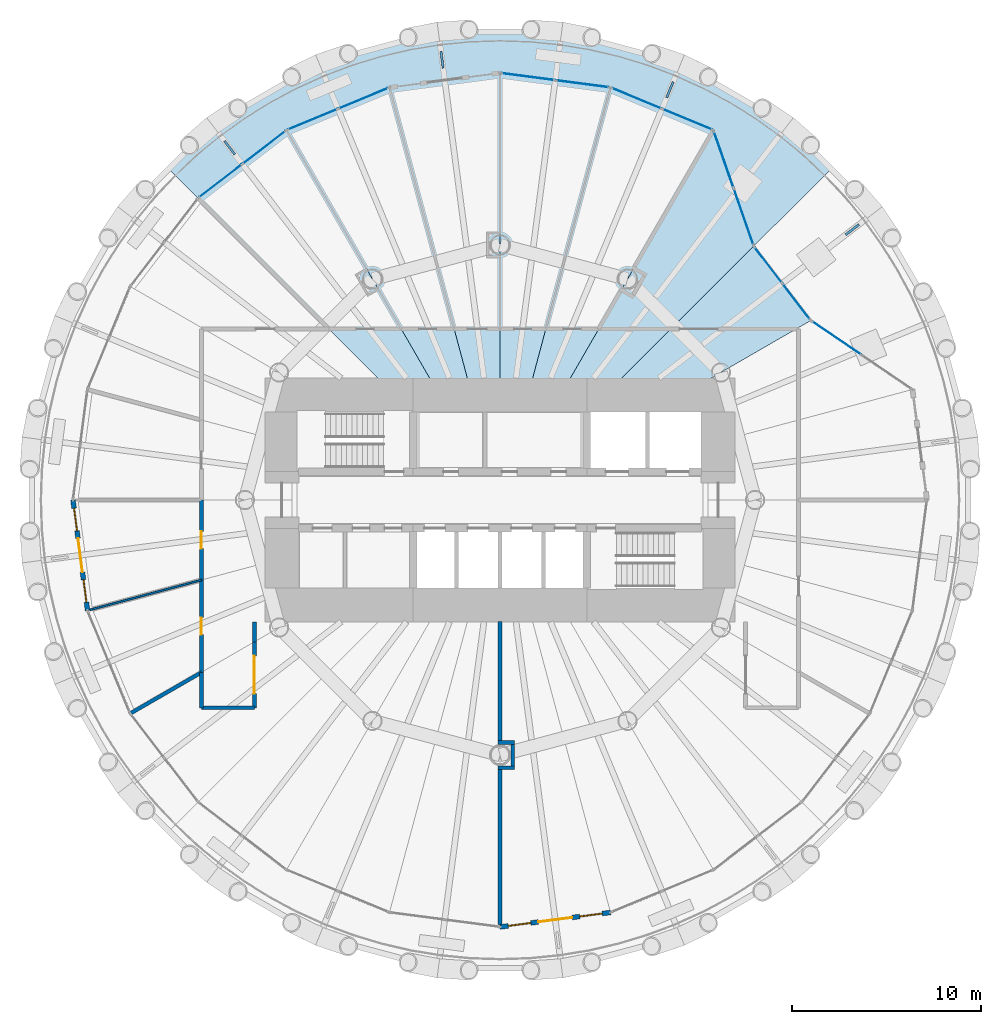
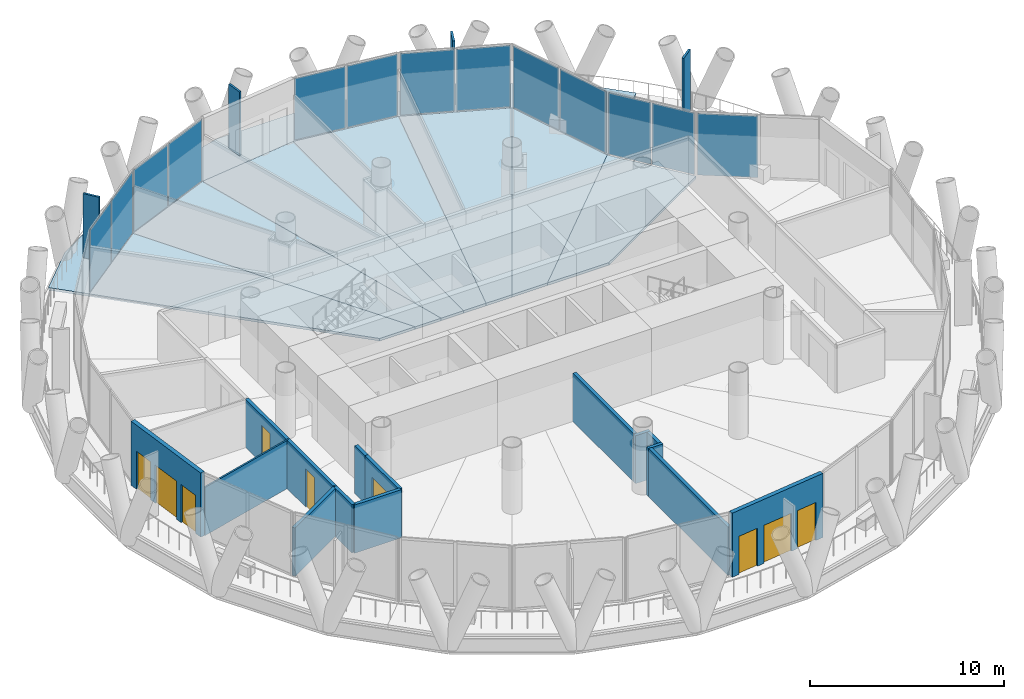
# One storey, part 9 of 16: 17 plates, 15 walls, 8 slabs, 5 doors, 4 windows, 9 openings, 7 elements without a shape of their own.
"""IFC4 building model written with IfcOpenShell, lengths in metres."""

from ifc_helpers import new_model, si_unit, direction, frame, frame_2d, origin, origin_2d, place, context, subcontext, project, spatial, polyline, rectangle, outline, extrude, material, layer, layer_set, type_object, element, fill, aggregate, save


model = new_model("IFC4")

# Units and contexts
model_context = context("Model", 3, precision=1e-05, world=origin(), true_north=direction((0.0, 1.0)))
body_context = subcontext(model_context, "Body", "Model", "MODEL_VIEW")
ifc_project = project(units=[si_unit("LENGTHUNIT", "METRE"), si_unit("AREAUNIT", "SQUARE_METRE"), si_unit("VOLUMEUNIT", "CUBIC_METRE"), si_unit("PLANEANGLEUNIT", "RADIAN"), si_unit("MASSUNIT", "GRAM", prefix="KILO")], contexts=[model_context])

# Site, building, storey
site_placement = place(None, origin())
site = spatial("IfcSite", under=ifc_project, at=site_placement, CompositionType="ELEMENT")
building_placement = place(site_placement, origin())
building = spatial("IfcBuilding", under=site, at=building_placement, Name="Qaws Media Tower", CompositionType="ELEMENT")
storey_placement = place(building_placement, frame((0.0, 0.0, 135.199951171875)))
storey = spatial("IfcBuildingStorey", under=building, at=storey_placement, Name="L30", CompositionType="ELEMENT", Elevation=135.199951171875)

# Slabs
ifc_material_1 = material(Name="Concrete C35/45", Category="concrete")
ifc_layer_1 = layer(ifc_material_1, 0.159912109375)
ifc_layer_set_1 = layer_set([ifc_layer_1], Name="Composite balcony slab 160")
slab_type_1 = type_object("IfcSlabType", Name="Composite balcony slab 160", PredefinedType="FLOOR", material=ifc_layer_set_1)
slab_1_placement = place(storey_placement, frame((0.0, 0.0, -0.159912109375)))
element("IfcSlab", 1, at=slab_1_placement, inside=storey, type_object=slab_type_1, Name="S2 balcony slab L30 R04 to R10, movement joints on R04 and R10", PredefinedType="FLOOR", context=body_context, shape_type="SweptSolid", body=[
    extrude(outline(polyline([(44.781005859375, 69.833740234375), (50.432861328125, 73.096923828125), (56.73681640625, 74.7861328125), (63.26318359375, 74.7861328125), (69.567138671875, 73.096923828125), (75.218994140625, 69.833740234375), (77.5263671875, 67.5263671875), (73.43505859375, 63.43505859375), (71.300048828125, 69.572265625), (65.849365234375, 71.829833984375), (60.0, 72.60009765625), (54.150634765625, 71.829833984375), (48.699951171875, 69.572265625), (44.019287109375, 65.980712890625), (42.4736328125, 67.5263671875), (44.781005859375, 69.833740234375)])), origin(), (0.0, 0.0, 1.0), 0.159912109375),
])
ifc_material_2 = material(Name="Concrete C35/45", Category="concrete")
ifc_layer_2 = layer(ifc_material_2, 0.159912109375)
ifc_layer_set_2 = layer_set([ifc_layer_2], Name="Composite floor slab 160")
slab_type_2 = type_object("IfcSlabType", Name="Composite floor slab 160", PredefinedType="FLOOR", material=ifc_layer_set_2)
slab_2_placement = place(storey_placement, frame((0.0, 0.0, -0.159912109375)))
element("IfcSlab", 2, at=slab_2_placement, inside=storey, type_object=slab_type_2, Name="S1 floor panel L30 on R03+7.5", PredefinedType="FLOOR", context=body_context, shape_type="SweptSolid", body=[
    extrude(outline(polyline([(76.45458984375, 59.5), (68.660400390625, 55.0), (65.0, 55.0), (73.43505859375, 63.43505859375), (76.45458984375, 59.5)])), origin(), (0.0, 0.0, 1.0), 0.159912109375),
])
slab_3_placement = place(storey_placement, frame((0.0, 0.0, -0.159912109375)))
element("IfcSlab", 3, at=slab_3_placement, inside=storey, type_object=slab_type_2, Name="S1 floor panel L30 on R04+7.5", PredefinedType="FLOOR", context=body_context, shape_type="SweptSolid", body=[
    extrude(outline(polyline([(71.300048828125, 69.572265625), (73.43505859375, 63.43505859375), (65.0, 55.0), (62.88671875, 55.0), (71.300048828125, 69.572265625)])), origin(), (0.0, 0.0, 1.0), 0.159912109375),
])
slab_4_placement = place(storey_placement, frame((0.0, 0.0, -0.159912109375)))
element("IfcSlab", 4, at=slab_4_placement, inside=storey, type_object=slab_type_2, Name="S1 floor panel L30 on R05+7.5", PredefinedType="FLOOR", context=body_context, shape_type="SweptSolid", body=[
    extrude(outline(polyline([(71.300048828125, 69.572265625), (62.88671875, 55.0), (61.339599609375, 55.0), (65.849365234375, 71.829833984375), (71.300048828125, 69.572265625)])), origin(), (0.0, 0.0, 1.0), 0.159912109375),
])
slab_5_placement = place(storey_placement, frame((0.0, 0.0, -0.159912109375)))
element("IfcSlab", 5, at=slab_5_placement, inside=storey, type_object=slab_type_2, Name="S1 floor panel L30 on R06+7.5", PredefinedType="FLOOR", context=body_context, shape_type="SweptSolid", body=[
    extrude(outline(polyline([(65.849365234375, 71.829833984375), (61.339599609375, 55.0), (60.0, 55.0), (60.0, 72.60009765625), (65.849365234375, 71.829833984375)])), origin(), (0.0, 0.0, 1.0), 0.159912109375),
])
slab_6_placement = place(storey_placement, frame((0.0, 0.0, -0.159912109375)))
element("IfcSlab", 6, at=slab_6_placement, inside=storey, type_object=slab_type_2, Name="S1 floor panel L30 on R07+7.5", PredefinedType="FLOOR", context=body_context, shape_type="SweptSolid", body=[
    extrude(outline(polyline([(54.150634765625, 71.829833984375), (60.0, 72.60009765625), (60.0, 55.0), (58.660400390625, 55.0), (54.150634765625, 71.829833984375)])), origin(), (0.0, 0.0, 1.0), 0.159912109375),
])
slab_7_placement = place(storey_placement, frame((0.0, 0.0, -0.159912109375)))
element("IfcSlab", 7, at=slab_7_placement, inside=storey, type_object=slab_type_2, Name="S1 floor panel L30 on R08+7.5", PredefinedType="FLOOR", context=body_context, shape_type="SweptSolid", body=[
    extrude(outline(polyline([(54.150634765625, 71.829833984375), (58.660400390625, 55.0), (57.11328125, 55.0), (48.699951171875, 69.572265625), (54.150634765625, 71.829833984375)])), origin(), (0.0, 0.0, 1.0), 0.159912109375),
])
slab_8_placement = place(storey_placement, frame((0.0, 0.0, -0.159912109375)))
element("IfcSlab", 8, at=slab_8_placement, inside=storey, type_object=slab_type_2, Name="S1 floor panel L30 on R09+7.5", PredefinedType="FLOOR", context=body_context, shape_type="SweptSolid", body=[
    extrude(outline(polyline([(44.019287109375, 65.980712890625), (48.699951171875, 69.572265625), (57.11328125, 55.0), (55.0, 55.0), (44.019287109375, 65.980712890625)])), origin(), (0.0, 0.0, 1.0), 0.159912109375),
])

# Curtain wall, plate
ifc_material_3 = material(Name="Aluminium and clear glass", Category="aluminium")
curtain_wall_type_1 = type_object("IfcCurtainWallType", Name="Loggia curtain wall CW-G", PredefinedType="NOTDEFINED", material=ifc_material_3)
curtain_wall_1_placement = place(storey_placement, origin())
curtain_wall_1 = element("IfcCurtainWall", 9, at=curtain_wall_1_placement, inside=storey, type_object=curtain_wall_type_1, Name="CWG curtain wall L30-02", PredefinedType="NOTDEFINED")
ifc_material_4 = material(Name="Clear laminated double glazing", Category="glass")
ifc_layer_3 = layer(ifc_material_4, 0.031982421875)
ifc_layer_set_3 = layer_set([ifc_layer_3], Name="Curtain wall glass unit 32")
plate_type_1 = type_object("IfcPlateType", Name="Curtain wall glass unit 32", PredefinedType="CURTAIN_PANEL", material=ifc_layer_set_3)
plate_1_placement = place(storey_placement, frame((77.81494140625, 58.576171875, 0.080078125), z_axis=(0.0, 0.0, 1.0), x_axis=(-0.82725624153, 0.561824804409, 0.0)))
plate_1 = element("IfcPlate", 10, at=plate_1_placement, type_object=plate_type_1, Name="CWG panel 2.1", PredefinedType="CURTAIN_PANEL", context=body_context, shape_type="SweptSolid", body=[
    extrude(rectangle(XDim=3.12890625, YDim=0.031982421875, at=origin_2d()), origin(), (0.0, 0.0, 1.0), 3.8798828125),
])
aggregate(curtain_wall_1, [plate_1])

# Curtain wall, plates
curtain_wall_2_placement = place(storey_placement, origin())
curtain_wall_2 = element("IfcCurtainWall", 11, at=curtain_wall_2_placement, inside=storey, type_object=curtain_wall_type_1, Name="CWG curtain wall L30-03", PredefinedType="NOTDEFINED")
plate_2_placement = place(storey_placement, frame((75.6875, 60.49951171875, 0.080078125), z_axis=(0.0, 0.0, 1.0), x_axis=(-0.608761435337, 0.793353335436, 0.0)))
plate_2 = element("IfcPlate", 12, at=plate_2_placement, type_object=plate_type_1, Name="CWG panel 1.1", PredefinedType="CURTAIN_PANEL", context=body_context, shape_type="SweptSolid", body=[
    extrude(rectangle(XDim=2.360107421875, YDim=0.031982421875, at=origin_2d()), origin(), (0.0, 0.0, 1.0), 3.8798828125),
])
plate_3_placement = place(storey_placement, frame((74.2021484375, 62.435302734375, 0.080078125), z_axis=(0.0, 0.0, 1.0), x_axis=(-0.608761435337, 0.793353335436, 0.0)))
plate_3 = element("IfcPlate", 13, at=plate_3_placement, type_object=plate_type_1, Name="CWG panel 2.1", PredefinedType="CURTAIN_PANEL", context=body_context, shape_type="SweptSolid", body=[
    extrude(rectangle(XDim=2.360107421875, YDim=0.031982421875, at=origin_2d()), origin(), (0.0, 0.0, 1.0), 3.8798828125),
])
aggregate(curtain_wall_2, [plate_2, plate_3])

curtain_wall_3_placement = place(storey_placement, origin())
curtain_wall_3 = element("IfcCurtainWall", 14, at=curtain_wall_3_placement, inside=storey, type_object=curtain_wall_type_1, Name="CWG curtain wall L30-04", PredefinedType="NOTDEFINED")
plate_4_placement = place(storey_placement, frame((72.894775390625, 64.98828125, 0.080078125), z_axis=(0.0, 0.0, 1.0), x_axis=(-0.328571402462, 0.94447913343, 0.0)))
plate_4 = element("IfcPlate", 15, at=plate_4_placement, type_object=plate_type_1, Name="CWG panel 1.1", PredefinedType="CURTAIN_PANEL", context=body_context, shape_type="SweptSolid", body=[
    extrude(rectangle(XDim=3.12890625, YDim=0.031982421875, at=origin_2d()), origin(), (0.0, 0.0, 1.0), 3.8798828125),
])
plate_5_placement = place(storey_placement, frame((71.84033203125, 68.01904296875, 0.080078125), z_axis=(0.0, 0.0, 1.0), x_axis=(-0.328571402462, 0.94447913343, 0.0)))
plate_5 = element("IfcPlate", 16, at=plate_5_placement, type_object=plate_type_1, Name="CWG panel 2.1", PredefinedType="CURTAIN_PANEL", context=body_context, shape_type="SweptSolid", body=[
    extrude(rectangle(XDim=3.12890625, YDim=0.031982421875, at=origin_2d()), origin(), (0.0, 0.0, 1.0), 3.8798828125),
])
aggregate(curtain_wall_3, [plate_4, plate_5])

ifc_material_5 = material(Name="Aluminium and clear glass", Category="aluminium")
curtain_wall_type_2 = type_object("IfcCurtainWallType", Name="Unitised curtain wall CW-B", PredefinedType="NOTDEFINED", material=ifc_material_5)
curtain_wall_4_placement = place(storey_placement, origin())
curtain_wall_4 = element("IfcCurtainWall", 17, at=curtain_wall_4_placement, inside=storey, type_object=curtain_wall_type_2, Name="CWB curtain wall L30-05", PredefinedType="NOTDEFINED")
plate_6_placement = place(storey_placement, frame((69.9189453125, 70.144287109375, 0.080078125), z_axis=(0.0, 0.0, 1.0), x_axis=(-0.923879515867, 0.382683472548, 0.0)))
plate_6 = element("IfcPlate", 18, at=plate_6_placement, type_object=plate_type_1, Name="CWB panel 1.1", PredefinedType="CURTAIN_PANEL", context=body_context, shape_type="SweptSolid", body=[
    extrude(rectangle(XDim=2.829833984375, YDim=0.031982421875, at=origin_2d()), origin(), (0.0, 0.0, 1.0), 3.8798828125),
])
plate_7_placement = place(storey_placement, frame((67.23046875, 71.2578125, 0.080078125), z_axis=(0.0, 0.0, 1.0), x_axis=(-0.923879515867, 0.382683472548, 0.0)))
plate_7 = element("IfcPlate", 19, at=plate_7_placement, type_object=plate_type_1, Name="CWB panel 2.1", PredefinedType="CURTAIN_PANEL", context=body_context, shape_type="SweptSolid", body=[
    extrude(rectangle(XDim=2.829833984375, YDim=0.031982421875, at=origin_2d()), origin(), (0.0, 0.0, 1.0), 3.8798828125),
])
aggregate(curtain_wall_4, [plate_6, plate_7])

curtain_wall_5_placement = place(storey_placement, origin())
curtain_wall_5 = element("IfcCurtainWall", 20, at=curtain_wall_5_placement, inside=storey, type_object=curtain_wall_type_2, Name="CWB curtain wall L30-06", PredefinedType="NOTDEFINED")
plate_8_placement = place(storey_placement, frame((64.3671875, 72.025146484375, 0.080078125), z_axis=(0.0, 0.0, 1.0), x_axis=(-0.991444867311, 0.130526147126, 0.0)))
plate_8 = element("IfcPlate", 21, at=plate_8_placement, type_object=plate_type_1, Name="CWB panel 1.1", PredefinedType="CURTAIN_PANEL", context=body_context, shape_type="SweptSolid", body=[
    extrude(rectangle(XDim=2.829833984375, YDim=0.031982421875, at=origin_2d()), origin(), (0.0, 0.0, 1.0), 3.8798828125),
])
plate_9_placement = place(storey_placement, frame((61.482177734375, 72.40478515625, 0.080078125), z_axis=(0.0, 0.0, 1.0), x_axis=(-0.991444867311, 0.130526147126, 0.0)))
plate_9 = element("IfcPlate", 22, at=plate_9_placement, type_object=plate_type_1, Name="CWB panel 2.1", PredefinedType="CURTAIN_PANEL", context=body_context, shape_type="SweptSolid", body=[
    extrude(rectangle(XDim=2.829833984375, YDim=0.031982421875, at=origin_2d()), origin(), (0.0, 0.0, 1.0), 3.8798828125),
])
aggregate(curtain_wall_5, [plate_8, plate_9])

curtain_wall_6_placement = place(storey_placement, origin())
curtain_wall_6 = element("IfcCurtainWall", 23, at=curtain_wall_6_placement, inside=storey, type_object=curtain_wall_type_2, Name="CWB curtain wall L30-08", PredefinedType="NOTDEFINED")
plate_10_placement = place(storey_placement, frame((52.76953125, 71.2578125, 0.080078125), z_axis=(0.0, 0.0, 1.0), x_axis=(-0.923879515867, -0.382683472548, 0.0)))
plate_10 = element("IfcPlate", 24, at=plate_10_placement, type_object=plate_type_1, Name="CWB panel 1.1", PredefinedType="CURTAIN_PANEL", context=body_context, shape_type="SweptSolid", body=[
    extrude(rectangle(XDim=2.829833984375, YDim=0.031982421875, at=origin_2d()), origin(), (0.0, 0.0, 1.0), 3.8798828125),
])
plate_11_placement = place(storey_placement, frame((50.0810546875, 70.144287109375, 0.080078125), z_axis=(0.0, 0.0, 1.0), x_axis=(-0.923879515867, -0.382683472548, 0.0)))
plate_11 = element("IfcPlate", 25, at=plate_11_placement, type_object=plate_type_1, Name="CWB panel 2.1", PredefinedType="CURTAIN_PANEL", context=body_context, shape_type="SweptSolid", body=[
    extrude(rectangle(XDim=2.829833984375, YDim=0.031982421875, at=origin_2d()), origin(), (0.0, 0.0, 1.0), 3.8798828125),
])
aggregate(curtain_wall_6, [plate_10, plate_11])

curtain_wall_7_placement = place(storey_placement, origin())
curtain_wall_7 = element("IfcCurtainWall", 26, at=curtain_wall_7_placement, inside=storey, type_object=curtain_wall_type_2, Name="CWB curtain wall L30-09", PredefinedType="NOTDEFINED")
plate_12_placement = place(storey_placement, frame((47.513916015625, 68.662109375, 0.080078125), z_axis=(0.0, 0.0, 1.0), x_axis=(-0.793353313697, -0.608761463667, 0.0)))
plate_12 = element("IfcPlate", 27, at=plate_12_placement, type_object=plate_type_1, Name="CWB panel 1.1", PredefinedType="CURTAIN_PANEL", context=body_context, shape_type="SweptSolid", body=[
    extrude(rectangle(XDim=2.829833984375, YDim=0.031982421875, at=origin_2d()), origin(), (0.0, 0.0, 1.0), 3.8798828125),
])
plate_13_placement = place(storey_placement, frame((45.205322265625, 66.890625, 0.080078125), z_axis=(0.0, 0.0, 1.0), x_axis=(-0.793353313697, -0.608761463667, 0.0)))
plate_13 = element("IfcPlate", 28, at=plate_13_placement, type_object=plate_type_1, Name="CWB panel 2.1", PredefinedType="CURTAIN_PANEL", context=body_context, shape_type="SweptSolid", body=[
    extrude(rectangle(XDim=2.829833984375, YDim=0.031982421875, at=origin_2d()), origin(), (0.0, 0.0, 1.0), 3.8798828125),
])
aggregate(curtain_wall_7, [plate_12, plate_13])

# Plates
ifc_material_6 = material(Name="Precast concrete screen fin", Category="concrete")
ifc_layer_4 = layer(ifc_material_6, 0.1201171875)
ifc_layer_set_4 = layer_set([ifc_layer_4], Name="Screen fin 120x900")
plate_type_2 = type_object("IfcPlateType", Name="Screen fin 120x900", PredefinedType="USERDEFINED", material=ifc_layer_set_4)
for number, where, z_axis, x_axis, name in (
    (29, (78.643798828125, 64.305908203125, 0.0), (0.0, 0.0, 1.0), (0.793353340291, 0.608761429009, 0.0), "SCR1 screen fin L30-02"),
    (30, (68.9931640625, 71.711181640625, 0.0), (0.0, 0.0, 1.0), (0.382683432365, 0.923879532511, 0.0), "SCR1 screen fin L30-03"),
    (31, (56.9326171875, 73.299072265625, 0.0), (0.0, 0.0, 1.0), (-0.13052619222, 0.991444861374, 0.0), "SCR1 screen fin L30-04"),
    (32, (45.694091796875, 68.643798828125, 0.0), (0.0, 0.0, 1.0), (-0.608761429009, 0.793353340291, 0.0), "SCR1 screen fin L30-05"),
):
    element("IfcPlate", number, at=place(storey_placement, frame(where, z_axis=z_axis, x_axis=x_axis)), inside=storey, type_object=plate_type_2, Name=name, ObjectType="SCREEN", PredefinedType="USERDEFINED", context=body_context, shape_type="SweptSolid", body=[
        extrude(rectangle(XDim=0.89990234375, YDim=0.1201171875, at=origin_2d()), origin(), (0.0, 0.0, 1.0), 4.0400390625),
    ])

# Wall, openings, door, windows
ifc_material_7 = material(Name="Precast concrete, exposed finish", Category="concrete")
ifc_layer_5 = layer(ifc_material_7, 0.25)
ifc_layer_set_5 = layer_set([ifc_layer_5], Name="Balcony door wall 250")
wall_type_1 = type_object("IfcWallType", Name="Balcony door wall 250", PredefinedType="SOLIDWALL", material=ifc_layer_set_5)
wall_1_placement = place(storey_placement, frame((37.39990234375, 50.0, 0.0), z_axis=(0.0, 0.0, 1.0), x_axis=(0.130556203128, -0.991440909901, 0.0)))
wall_1 = element("IfcWall", 33, at=wall_1_placement, inside=storey, type_object=wall_type_1, Name="W186 EW1 balcony door wall L30-13", PredefinedType="SOLIDWALL", context=body_context, shape_type="SweptSolid", body=[
    extrude(rectangle(XDim=5.89990234375, YDim=0.25, at=frame_2d((2.949951171875, 0.0))), origin(), (0.0, 0.0, 1.0), 4.0400390625),
])
opening_1_placement = place(wall_1_placement, frame((2.0498046875, 0.0, 0.0)))
opening_1 = element("IfcOpeningElement", 34, at=opening_1_placement, cuts=wall_1, Name="Opening D7", PredefinedType="OPENING", context=body_context, shape_type="SweptSolid", body=[
    extrude(rectangle(XDim=1.800048828125, YDim=2.39990234375, at=frame_2d((0.89990234375, 1.199951171875))), frame((0.0, 0.135009765625, 0.0), z_axis=(0.0, -1.0, 0.0), x_axis=(1.0, 0.0, 0.0)), (0.0, 0.0, 1.0), 0.27001953125),
])
opening_2_placement = place(wall_1_placement, frame((0.449951171875, 0.0, 0.0)))
opening_2 = element("IfcOpeningElement", 35, at=opening_2_placement, cuts=wall_1, Name="Opening W1", PredefinedType="OPENING", context=body_context, shape_type="SweptSolid", body=[
    extrude(rectangle(XDim=1.199951171875, YDim=2.39990234375, at=frame_2d((0.60009765625, 1.199951171875))), frame((0.0, 0.135009765625, 0.0), z_axis=(0.0, -1.0, 0.0), x_axis=(1.0, 0.0, 0.0)), (0.0, 0.0, 1.0), 0.27001953125),
])
opening_3_placement = place(wall_1_placement, frame((4.25, 0.0, 0.0)))
opening_3 = element("IfcOpeningElement", 36, at=opening_3_placement, cuts=wall_1, Name="Opening W1", PredefinedType="OPENING", context=body_context, shape_type="SweptSolid", body=[
    extrude(rectangle(XDim=1.199951171875, YDim=2.39990234375, at=frame_2d((0.60009765625, 1.199951171875))), frame((0.0, 0.135009765625, 0.0), z_axis=(0.0, -1.0, 0.0), x_axis=(1.0, 0.0, 0.0)), (0.0, 0.0, 1.0), 0.27001953125),
])
ifc_material_8 = material(Name="Aluminium and clear glass", Category="aluminium")
door_type_1 = type_object("IfcDoorType", Name="Balcony door pair 1800", OperationType="DOUBLE_DOOR_SLIDING", PredefinedType="DOOR", material=ifc_material_8)
door_1_placement = place(opening_1_placement, origin())
door_1 = element("IfcDoor", 37, at=door_1_placement, inside=storey, type_object=door_type_1, Name="D7 balcony door L30-13 in wall W186", OperationType="DOUBLE_DOOR_SLIDING", OverallHeight=2.39990234375, OverallWidth=1.800048828125, PredefinedType="DOOR", context=body_context, shape_type="SweptSolid", body=[
    extrude(rectangle(XDim=1.800048828125, YDim=2.39990234375, at=frame_2d((0.89990234375, 1.199951171875))), frame((0.0, 0.02490234375, 0.0), z_axis=(0.0, -1.0, 0.0), x_axis=(1.0, 0.0, 0.0)), (0.0, 0.0, 1.0), 0.050048828125),
])
fill(opening_1, door_1)
ifc_material_9 = material(Name="Aluminium and clear glass", Category="aluminium")
window_type = type_object("IfcWindowType", Name="Balcony side window 1200", PartitioningType="SINGLE_PANEL", PredefinedType="WINDOW", material=ifc_material_9)
window_1_placement = place(opening_2_placement, origin())
window_1 = element("IfcWindow", 38, at=window_1_placement, inside=storey, type_object=window_type, Name="W1 balcony side light L30-13L", OverallHeight=2.39990234375, OverallWidth=1.199951171875, PartitioningType="SINGLE_PANEL", PredefinedType="WINDOW", context=body_context, shape_type="SweptSolid", body=[
    extrude(rectangle(XDim=1.199951171875, YDim=2.39990234375, at=frame_2d((0.60009765625, 1.199951171875))), frame((0.0, 0.030029296875, 0.0), z_axis=(0.0, -1.0, 0.0), x_axis=(1.0, 0.0, 0.0)), (0.0, 0.0, 1.0), 0.06005859375),
])
fill(opening_2, window_1)
window_2_placement = place(opening_3_placement, origin())
window_2 = element("IfcWindow", 39, at=window_2_placement, inside=storey, type_object=window_type, Name="W1 balcony side light L30-13R", OverallHeight=2.39990234375, OverallWidth=1.199951171875, PartitioningType="SINGLE_PANEL", PredefinedType="WINDOW", context=body_context, shape_type="SweptSolid", body=[
    extrude(rectangle(XDim=1.199951171875, YDim=2.39990234375, at=frame_2d((0.60009765625, 1.199951171875))), frame((0.0, 0.030029296875, 0.0), z_axis=(0.0, -1.0, 0.0), x_axis=(1.0, 0.0, 0.0)), (0.0, 0.0, 1.0), 0.06005859375),
])
fill(opening_3, window_2)

wall_2_placement = place(storey_placement, frame((60.0, 27.39990234375, 0.0), z_axis=(0.0, 0.0, 1.0), x_axis=(0.991440909901, 0.130556203128, 0.0)))
wall_2 = element("IfcWall", 40, at=wall_2_placement, inside=storey, type_object=wall_type_1, Name="W187 EW1 balcony door wall L30-19", PredefinedType="SOLIDWALL", context=body_context, shape_type="SweptSolid", body=[
    extrude(rectangle(XDim=5.89990234375, YDim=0.25, at=frame_2d((2.949951171875, 0.0))), origin(), (0.0, 0.0, 1.0), 4.0400390625),
])
opening_4_placement = place(wall_2_placement, frame((2.0498046875, 0.0, 0.0)))
opening_4 = element("IfcOpeningElement", 41, at=opening_4_placement, cuts=wall_2, Name="Opening D7", PredefinedType="OPENING", context=body_context, shape_type="SweptSolid", body=[
    extrude(rectangle(XDim=1.800048828125, YDim=2.39990234375, at=frame_2d((0.89990234375, 1.199951171875))), frame((0.0, 0.135009765625, 0.0), z_axis=(0.0, -1.0, 0.0), x_axis=(1.0, 0.0, 0.0)), (0.0, 0.0, 1.0), 0.27001953125),
])
opening_5_placement = place(wall_2_placement, frame((0.449951171875, 0.0, 0.0)))
opening_5 = element("IfcOpeningElement", 42, at=opening_5_placement, cuts=wall_2, Name="Opening W1", PredefinedType="OPENING", context=body_context, shape_type="SweptSolid", body=[
    extrude(rectangle(XDim=1.199951171875, YDim=2.39990234375, at=frame_2d((0.60009765625, 1.199951171875))), frame((0.0, 0.135009765625, 0.0), z_axis=(0.0, -1.0, 0.0), x_axis=(1.0, 0.0, 0.0)), (0.0, 0.0, 1.0), 0.27001953125),
])
opening_6_placement = place(wall_2_placement, frame((4.25, 0.0, 0.0)))
opening_6 = element("IfcOpeningElement", 43, at=opening_6_placement, cuts=wall_2, Name="Opening W1", PredefinedType="OPENING", context=body_context, shape_type="SweptSolid", body=[
    extrude(rectangle(XDim=1.199951171875, YDim=2.39990234375, at=frame_2d((0.60009765625, 1.199951171875))), frame((0.0, 0.135009765625, 0.0), z_axis=(0.0, -1.0, 0.0), x_axis=(1.0, 0.0, 0.0)), (0.0, 0.0, 1.0), 0.27001953125),
])
door_2_placement = place(opening_4_placement, origin())
door_2 = element("IfcDoor", 44, at=door_2_placement, inside=storey, type_object=door_type_1, Name="D7 balcony door L30-19 in wall W187", OperationType="DOUBLE_DOOR_SLIDING", OverallHeight=2.39990234375, OverallWidth=1.800048828125, PredefinedType="DOOR", context=body_context, shape_type="SweptSolid", body=[
    extrude(rectangle(XDim=1.800048828125, YDim=2.39990234375, at=frame_2d((0.89990234375, 1.199951171875))), frame((0.0, 0.02490234375, 0.0), z_axis=(0.0, -1.0, 0.0), x_axis=(1.0, 0.0, 0.0)), (0.0, 0.0, 1.0), 0.050048828125),
])
fill(opening_4, door_2)
window_3_placement = place(opening_5_placement, origin())
window_3 = element("IfcWindow", 45, at=window_3_placement, inside=storey, type_object=window_type, Name="W1 balcony side light L30-19L", OverallHeight=2.39990234375, OverallWidth=1.199951171875, PartitioningType="SINGLE_PANEL", PredefinedType="WINDOW", context=body_context, shape_type="SweptSolid", body=[
    extrude(rectangle(XDim=1.199951171875, YDim=2.39990234375, at=frame_2d((0.60009765625, 1.199951171875))), frame((0.0, 0.030029296875, 0.0), z_axis=(0.0, -1.0, 0.0), x_axis=(1.0, 0.0, 0.0)), (0.0, 0.0, 1.0), 0.06005859375),
])
fill(opening_5, window_3)
window_4_placement = place(opening_6_placement, origin())
window_4 = element("IfcWindow", 46, at=window_4_placement, inside=storey, type_object=window_type, Name="W1 balcony side light L30-19R", OverallHeight=2.39990234375, OverallWidth=1.199951171875, PartitioningType="SINGLE_PANEL", PredefinedType="WINDOW", context=body_context, shape_type="SweptSolid", body=[
    extrude(rectangle(XDim=1.199951171875, YDim=2.39990234375, at=frame_2d((0.60009765625, 1.199951171875))), frame((0.0, 0.030029296875, 0.0), z_axis=(0.0, -1.0, 0.0), x_axis=(1.0, 0.0, 0.0)), (0.0, 0.0, 1.0), 0.06005859375),
])
fill(opening_6, window_4)

# Walls
ifc_material_10 = material(Name="Gypsum board on 70 metal studs, single layer each side", Category="gypsum")
ifc_layer_6 = layer(ifc_material_10, 0.10009765625)
ifc_layer_set_6 = layer_set([ifc_layer_6], Name="Office stud partition 100")
wall_type_2 = type_object("IfcWallType", Name="Office stud partition 100", PredefinedType="PARTITIONING", material=ifc_layer_set_6)
wall_3_placement = place(storey_placement, frame((44.197509765625, 45.765625, 0.0), z_axis=(0.0, 0.0, 1.0), x_axis=(-0.965932688119, -0.258793435045, 0.0)))
element("IfcWall", 47, at=wall_3_placement, inside=storey, type_object=wall_type_2, Name="W668 IW4 partition L30", PredefinedType="PARTITIONING", context=body_context, shape_type="SweptSolid", body=[
    extrude(rectangle(XDim=6.099853515625, YDim=0.10009765625, at=frame_2d((3.0498046875, 0.0))), origin(), (0.0, 0.0, 1.0), 3.0400390625),
])
ifc_material_11 = material(Name="Gypsum board on galvanised metal studs, acoustic double stud, deflection head", Category="gypsum")
ifc_layer_7 = layer(ifc_material_11, 0.199951171875)
ifc_layer_set_7 = layer_set([ifc_layer_7], Name="Room partition 200")
wall_type_3 = type_object("IfcWallType", Name="Room partition 200", PredefinedType="PARTITIONING", material=ifc_layer_set_7)
wall_4_placement = place(storey_placement, frame((47.0, 43.550048828125, 0.0), z_axis=(0.0, 0.0, 1.0), x_axis=(0.0, -1.0, 0.0)))
element("IfcWall", 48, at=wall_4_placement, inside=storey, type_object=wall_type_3, Name="W1224 IW3 partition L30", PredefinedType="PARTITIONING", context=body_context, shape_type="SweptSolid", body=[
    extrude(rectangle(XDim=1.0556640625, YDim=0.199951171875, at=frame_2d((0.52783203125, 0.0))), origin(), (0.0, 0.0, 1.0), 3.0400390625),
])

# Wall, opening, door
wall_5_placement = place(storey_placement, frame((47.0, 42.494384765625, 0.0), z_axis=(0.0, 0.0, 1.0), x_axis=(0.0, -1.0, 0.0)))
wall_5 = element("IfcWall", 49, at=wall_5_placement, inside=storey, type_object=wall_type_3, Name="W1223 IW3 partition L30", PredefinedType="PARTITIONING", context=body_context, shape_type="SweptSolid", body=[
    extrude(rectangle(XDim=3.494384765625, YDim=0.199951171875, at=frame_2d((1.7470703125, 0.0))), origin(), (0.0, 0.0, 1.0), 3.0400390625),
])
opening_7_placement = place(wall_5_placement, frame((0.747314453125, 0.0, 0.0)))
opening_7 = element("IfcOpeningElement", 50, at=opening_7_placement, cuts=wall_5, Name="Opening D6", PredefinedType="OPENING", context=body_context, shape_type="SweptSolid", body=[
    extrude(rectangle(XDim=2.0, YDim=2.10009765625, at=frame_2d((1.0, 1.050048828125))), frame((0.0, 0.10986328125, 0.0), z_axis=(0.0, -1.0, 0.0), x_axis=(1.0, 0.0, 0.0)), (0.0, 0.0, 1.0), 0.219970703125),
])
ifc_material_12 = material(Name="Steel, acoustic, fire rated", Category="steel")
door_type_2 = type_object("IfcDoorType", Name="Room door pair 2000", OperationType="DOUBLE_DOOR_DOUBLE_SWING", PredefinedType="DOOR", material=ifc_material_12)
door_3_placement = place(opening_7_placement, origin())
door_3 = element("IfcDoor", 51, at=door_3_placement, inside=storey, type_object=door_type_2, Name="D6 Paralegal office door L30 in wall W1223", OperationType="DOUBLE_DOOR_DOUBLE_SWING", OverallHeight=2.10009765625, OverallWidth=2.0, PredefinedType="DOOR", context=body_context, shape_type="SweptSolid", body=[
    extrude(rectangle(XDim=2.0, YDim=2.10009765625, at=frame_2d((1.0, 1.050048828125))), frame((0.0, 0.02490234375, 0.0), z_axis=(0.0, -1.0, 0.0), x_axis=(1.0, 0.0, 0.0)), (0.0, 0.0, 1.0), 0.050048828125),
])
fill(opening_7, door_3)

# Walls
wall_6_placement = place(storey_placement, frame((47.0, 39.0, 0.0), z_axis=(0.0, 0.0, 1.0), x_axis=(-1.0, 0.0, 0.0)))
element("IfcWall", 52, at=wall_6_placement, inside=storey, type_object=wall_type_3, Name="W1222 IW3 partition L30", PredefinedType="PARTITIONING", context=body_context, shape_type="SweptSolid", body=[
    extrude(rectangle(XDim=2.800048828125, YDim=0.199951171875, at=frame_2d((1.39990234375, 0.0))), origin(), (0.0, 0.0, 1.0), 3.0400390625),
])
wall_7_placement = place(storey_placement, frame((44.199951171875, 39.0, 0.0), z_axis=(0.0, 0.0, 1.0), x_axis=(0.0, 1.0, 0.0)))
element("IfcWall", 53, at=wall_7_placement, inside=storey, type_object=wall_type_3, Name="W1215 IW3 partition L30", PredefinedType="PARTITIONING", context=body_context, shape_type="SweptSolid", body=[
    extrude(rectangle(XDim=1.8779296875, YDim=0.199951171875, at=frame_2d((0.93896484375, 0.0))), origin(), (0.0, 0.0, 1.0), 3.0400390625),
])

# Wall, opening, door
wall_8_placement = place(storey_placement, frame((44.199951171875, 40.8779296875, 0.0), z_axis=(0.0, 0.0, 1.0), x_axis=(0.0, 1.0, 0.0)))
wall_8 = element("IfcWall", 54, at=wall_8_placement, inside=storey, type_object=wall_type_3, Name="W1216 IW3 partition L30", PredefinedType="PARTITIONING", context=body_context, shape_type="SweptSolid", body=[
    extrude(rectangle(XDim=4.888427734375, YDim=0.199951171875, at=frame_2d((2.4443359375, 0.0))), origin(), (0.0, 0.0, 1.0), 3.0400390625),
])
opening_8_placement = place(wall_8_placement, frame((1.994384765625, 0.0, 0.0)))
opening_8 = element("IfcOpeningElement", 55, at=opening_8_placement, cuts=wall_8, Name="Opening D12", PredefinedType="OPENING", context=body_context, shape_type="SweptSolid", body=[
    extrude(rectangle(XDim=0.89990234375, YDim=2.39990234375, at=frame_2d((0.449951171875, 1.199951171875))), frame((0.0, 0.10986328125, 0.0), z_axis=(0.0, -1.0, 0.0), x_axis=(1.0, 0.0, 0.0)), (0.0, 0.0, 1.0), 0.219970703125),
])
ifc_material_13 = material(Name="Timber veneered, full height", Category="wood")
door_type_3 = type_object("IfcDoorType", Name="Office door 900x2400", OperationType="SINGLE_SWING_LEFT", PredefinedType="DOOR", material=ifc_material_13)
door_4_placement = place(opening_8_placement, origin())
door_4 = element("IfcDoor", 56, at=door_4_placement, inside=storey, type_object=door_type_3, Name="D12 Office door L30 in wall W1216", OperationType="SINGLE_SWING_LEFT", OverallHeight=2.39990234375, OverallWidth=0.89990234375, PredefinedType="DOOR", context=body_context, shape_type="SweptSolid", body=[
    extrude(rectangle(XDim=0.89990234375, YDim=2.39990234375, at=frame_2d((0.449951171875, 1.199951171875))), frame((0.0, 0.02490234375, 0.0), z_axis=(0.0, -1.0, 0.0), x_axis=(1.0, 0.0, 0.0)), (0.0, 0.0, 1.0), 0.050048828125),
])
fill(opening_8, door_4)

wall_9_placement = place(storey_placement, frame((44.199951171875, 45.766357421875, 0.0), z_axis=(0.0, 0.0, 1.0), x_axis=(0.0, 1.0, 0.0)))
wall_9 = element("IfcWall", 57, at=wall_9_placement, inside=storey, type_object=wall_type_3, Name="W1217 IW3 partition L30", PredefinedType="PARTITIONING", context=body_context, shape_type="SweptSolid", body=[
    extrude(rectangle(XDim=4.233642578125, YDim=0.199951171875, at=frame_2d((2.11669921875, 0.0))), origin(), (0.0, 0.0, 1.0), 3.0400390625),
])
opening_9_placement = place(wall_9_placement, frame((1.666748046875, 0.0, 0.0)))
opening_9 = element("IfcOpeningElement", 58, at=opening_9_placement, cuts=wall_9, Name="Opening D12", PredefinedType="OPENING", context=body_context, shape_type="SweptSolid", body=[
    extrude(rectangle(XDim=0.89990234375, YDim=2.39990234375, at=frame_2d((0.449951171875, 1.199951171875))), frame((0.0, 0.10986328125, 0.0), z_axis=(0.0, -1.0, 0.0), x_axis=(1.0, 0.0, 0.0)), (0.0, 0.0, 1.0), 0.219970703125),
])
door_5_placement = place(opening_9_placement, origin())
door_5 = element("IfcDoor", 59, at=door_5_placement, inside=storey, type_object=door_type_3, Name="D12 Office door L30 in wall W1217", OperationType="SINGLE_SWING_LEFT", OverallHeight=2.39990234375, OverallWidth=0.89990234375, PredefinedType="DOOR", context=body_context, shape_type="SweptSolid", body=[
    extrude(rectangle(XDim=0.89990234375, YDim=2.39990234375, at=frame_2d((0.449951171875, 1.199951171875))), frame((0.0, 0.02490234375, 0.0), z_axis=(0.0, -1.0, 0.0), x_axis=(1.0, 0.0, 0.0)), (0.0, 0.0, 1.0), 0.050048828125),
])
fill(opening_9, door_5)

# Walls
wall_10_placement = place(storey_placement, frame((44.20361328125, 40.8798828125, 0.0), z_axis=(0.0, 0.0, 1.0), x_axis=(-0.866033125095, -0.499986626058, 0.0)))
element("IfcWall", 60, at=wall_10_placement, inside=storey, type_object=wall_type_3, Name="W1279 IW3 partition L30", PredefinedType="PARTITIONING", context=body_context, shape_type="SweptSolid", body=[
    extrude(rectangle(XDim=4.31982421875, YDim=0.199951171875, at=frame_2d((2.159912109375, 0.0))), origin(), (0.0, 0.0, 1.0), 3.0400390625),
])
for number, where, z_axis, x_axis, name in (
    (61, (59.89990234375, 37.16796875, 0.0), (0.0, 0.0, 1.0), (1.0, 0.0, 0.0), "W1286 IW3 partition return L30"),
    (62, (59.89990234375, 35.83203125, 0.0), (0.0, 0.0, 1.0), (1.0, 0.0, 0.0), "W1285 IW3 partition return L30"),
):
    element("IfcWall", number, at=place(storey_placement, frame(where, z_axis=z_axis, x_axis=x_axis)), inside=storey, type_object=wall_type_3, Name=name, PredefinedType="PARTITIONING", context=body_context, shape_type="SweptSolid", body=[
        extrude(rectangle(XDim=0.878173828125, YDim=0.199951171875, at=frame_2d((0.43896484375, 0.0))), origin(), (0.0, 0.0, 1.0), 3.02001953125),
    ])
wall_11_placement = place(storey_placement, frame((60.677978515625, 37.068115234375, 0.0), z_axis=(0.0, 0.0, 1.0), x_axis=(0.0, -1.0, 0.0)))
element("IfcWall", 63, at=wall_11_placement, inside=storey, type_object=wall_type_3, Name="W1290 IW3 partition return L30", PredefinedType="PARTITIONING", context=body_context, shape_type="SweptSolid", body=[
    extrude(rectangle(XDim=1.13623046875, YDim=0.199951171875, at=frame_2d((0.568115234375, 0.0))), origin(), (0.0, 0.0, 1.0), 3.02001953125),
])
wall_12_placement = place(storey_placement, frame((60.0, 43.56005859375, 0.0), z_axis=(0.0, 0.0, 1.0), x_axis=(0.0, -1.0, 0.0)))
element("IfcWall", 64, at=wall_12_placement, inside=storey, type_object=wall_type_3, Name="W1288 IW3 partition L30", PredefinedType="PARTITIONING", context=body_context, shape_type="SweptSolid", body=[
    extrude(rectangle(XDim=6.2919921875, YDim=0.199951171875, at=frame_2d((3.14599609375, 0.0))), origin(), (0.0, 0.0, 1.0), 3.0400390625),
])
wall_13_placement = place(storey_placement, frame((60.0, 35.73193359375, 0.0), z_axis=(0.0, 0.0, 1.0), x_axis=(0.0, -1.0, 0.0)))
element("IfcWall", 65, at=wall_13_placement, inside=storey, type_object=wall_type_3, Name="W1287 IW3 partition L30", PredefinedType="PARTITIONING", context=body_context, shape_type="SweptSolid", body=[
    extrude(rectangle(XDim=8.19189453125, YDim=0.199951171875, at=frame_2d((4.095947265625, 0.0))), origin(), (0.0, 0.0, 1.0), 3.0400390625),
])

save(model, "model.ifc")
